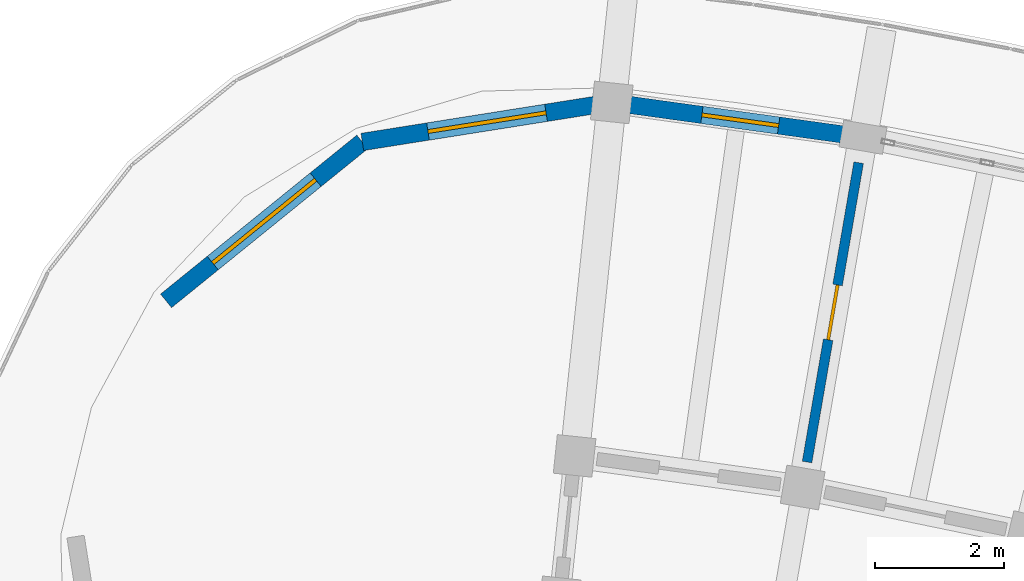
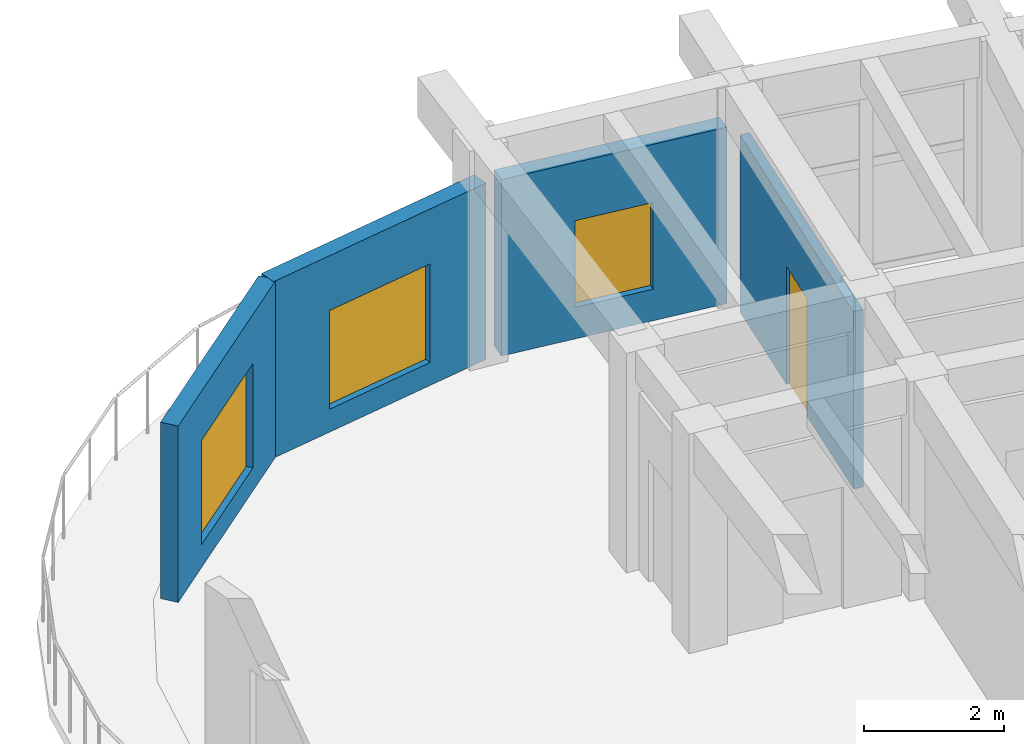
# One storey, part 93 of 128: 4 walls, 3 windows, 1 door, 4 openings.
"""IFC4 building model written with IfcOpenShell, lengths in metres."""

from ifc_helpers import new_model, si_unit, direction, frame, frame_2d, origin, place, context, subcontext, project, spatial, rectangle, extrude, material, layer, layer_set, type_object, element, fill, save


model = new_model("IFC4")

# Units and contexts
model_context = context("Model", 3, precision=1e-05, world=origin(), true_north=direction((0.0, 1.0)))
body_context = subcontext(model_context, "Body", "Model", "MODEL_VIEW")
ifc_project = project(units=[si_unit("LENGTHUNIT", "METRE"), si_unit("AREAUNIT", "SQUARE_METRE"), si_unit("VOLUMEUNIT", "CUBIC_METRE"), si_unit("PLANEANGLEUNIT", "RADIAN"), si_unit("MASSUNIT", "GRAM", prefix="KILO")], contexts=[model_context])

# Site, building, storey
site_placement = place(None, origin())
site = spatial("IfcSite", under=ifc_project, at=site_placement, CompositionType="ELEMENT")
building_placement = place(site_placement, origin())
building = spatial("IfcBuilding", under=site, at=building_placement, Name="Tanwirah Colonnade Gardens", CompositionType="ELEMENT")
storey_placement = place(building_placement, frame((0.0, 0.0, 4.760009765625)))
storey = spatial("IfcBuildingStorey", under=building, at=storey_placement, Name="L01", CompositionType="ELEMENT", Elevation=4.760009765625)

# Wall, opening, window
ifc_material_1 = material(Name="Limestone architectural precast concrete C40/50", Category="masonry")
ifc_layer_1 = layer(ifc_material_1, 0.27001953125)
ifc_layer_set_1 = layer_set([ifc_layer_1], Name="Limestone architectural precast concrete C40/50")
wall_type_1 = type_object("IfcWallType", Name="EW-PC270", PredefinedType="SOLIDWALL", material=ifc_layer_set_1)
wall_1_placement = place(storey_placement, frame((130.934814453125, 118.90966796875, 0.0), z_axis=(0.0, 0.0, 1.0), x_axis=(-0.990535032048, 0.137260155494, 0.0)))
wall_1 = element("IfcWall", 1, at=wall_1_placement, inside=storey, type_object=wall_type_1, Name="Block B L01 OUT Precast Facade Wall 17", PredefinedType="SOLIDWALL", context=body_context, shape_type="SweptSolid", body=[
    extrude(rectangle(XDim=3.4755859375, YDim=0.27001953125, at=frame_2d((1.73779296875, 0.0))), origin(), (0.0, 0.0, 1.0), 3.074951171875),
])
opening_1_placement = place(wall_1_placement, frame((1.137939453125, 0.0, 0.550048828125)))
opening_1 = element("IfcOpeningElement", 2, at=opening_1_placement, cuts=wall_1, Name="Opening WIN-U02", PredefinedType="OPENING", context=body_context, shape_type="SweptSolid", body=[
    extrude(rectangle(XDim=1.199951171875, YDim=1.510009765625, at=frame_2d((0.60009765625, 0.7548828125))), frame((0.0, 0.14501953125, 0.0), z_axis=(0.0, -1.0, 0.0), x_axis=(1.0, 0.0, 0.0)), (0.0, 0.0, 1.0), 0.2900390625),
])
ifc_material_2 = material(Name="Thermally broken bronze aluminium and solar low-E double glazing", Category="aluminium")
window_type_1 = type_object("IfcWindowType", Name="WIN-U02", PartitioningType="DOUBLE_PANEL_VERTICAL", PredefinedType="WINDOW", material=ifc_material_2)
window_1_placement = place(opening_1_placement, origin())
window_1 = element("IfcWindow", 3, at=window_1_placement, inside=storey, type_object=window_type_1, Name="Facade window B-L01-OUT-17", OverallHeight=1.510009765625, OverallWidth=1.199951171875, PartitioningType="SINGLE_PANEL", PredefinedType="WINDOW", context=body_context, shape_type="SweptSolid", body=[
    extrude(rectangle(XDim=1.199951171875, YDim=1.510009765625, at=frame_2d((0.60009765625, 0.7548828125))), frame((0.0, 0.030029296875, 0.0), z_axis=(0.0, -1.0, 0.0), x_axis=(1.0, 0.0, 0.0)), (0.0, 0.0, 1.0), 0.06005859375),
])
fill(opening_1, window_1)

wall_2_placement = place(storey_placement, frame((120.327392578125, 116.35302734375, 0.0), z_axis=(0.0, 0.0, 1.0), x_axis=(0.777137204109, 0.629331205321, 0.0)))
wall_2 = element("IfcWall", 4, at=wall_2_placement, inside=storey, type_object=wall_type_1, Name="Block B L01 END Rounded End Wall 4", PredefinedType="SOLIDWALL", context=body_context, shape_type="SweptSolid", body=[
    extrude(rectangle(XDim=3.907958984375, YDim=0.27001953125, at=frame_2d((1.9541015625, 0.0))), origin(), (0.0, 0.0, 1.0), 3.074951171875),
])
opening_2_placement = place(wall_2_placement, frame((0.92919921875, 0.0, 0.39990234375)))
opening_2 = element("IfcOpeningElement", 5, at=opening_2_placement, cuts=wall_2, Name="Opening WIN-END3", PredefinedType="OPENING", context=body_context, shape_type="SweptSolid", body=[
    extrude(rectangle(XDim=2.050048828125, YDim=1.820068359375, at=frame_2d((1.02490234375, 0.91015625))), frame((0.0, 0.14501953125, 0.0), z_axis=(0.0, -1.0, 0.0), x_axis=(1.0, 0.0, 0.0)), (0.0, 0.0, 1.0), 0.2900390625),
])
window_type_2 = type_object("IfcWindowType", Name="WIN-END3", PartitioningType="TRIPLE_PANEL_VERTICAL", PredefinedType="WINDOW", material=ifc_material_2)
window_2_placement = place(opening_2_placement, origin())
window_2 = element("IfcWindow", 6, at=window_2_placement, inside=storey, type_object=window_type_2, Name="Rounded corner window B-L01-END-4", OverallHeight=1.820068359375, OverallWidth=2.050048828125, PartitioningType="SINGLE_PANEL", PredefinedType="WINDOW", context=body_context, shape_type="SweptSolid", body=[
    extrude(rectangle(XDim=2.050048828125, YDim=1.820068359375, at=frame_2d((1.02490234375, 0.91015625))), frame((0.0, 0.030029296875, 0.0), z_axis=(0.0, -1.0, 0.0), x_axis=(1.0, 0.0, 0.0)), (0.0, 0.0, 1.0), 0.06005859375),
])
fill(opening_2, window_2)

wall_3_placement = place(storey_placement, frame((123.364501953125, 118.8125, 0.0), z_axis=(0.0, 0.0, 1.0), x_axis=(0.987690429048, 0.156421278498, 0.0)))
wall_3 = element("IfcWall", 7, at=wall_3_placement, inside=storey, type_object=wall_type_1, Name="Block B L01 END Rounded End Wall 5", PredefinedType="SOLIDWALL", context=body_context, shape_type="SweptSolid", body=[
    extrude(rectangle(XDim=3.908203125, YDim=0.27001953125, at=frame_2d((1.9541015625, 0.0))), origin(), (0.0, 0.0, 1.0), 3.074951171875),
])
opening_3_placement = place(wall_3_placement, frame((1.029052734375, 0.0, 0.39990234375)))
opening_3 = element("IfcOpeningElement", 8, at=opening_3_placement, cuts=wall_3, Name="Opening WIN-END1", PredefinedType="OPENING", context=body_context, shape_type="SweptSolid", body=[
    extrude(rectangle(XDim=1.85009765625, YDim=1.719970703125, at=frame_2d((0.925048828125, 0.85986328125))), frame((0.0, 0.14501953125, 0.0), z_axis=(0.0, -1.0, 0.0), x_axis=(1.0, 0.0, 0.0)), (0.0, 0.0, 1.0), 0.2900390625),
])
window_type_3 = type_object("IfcWindowType", Name="WIN-END1", PartitioningType="TRIPLE_PANEL_VERTICAL", PredefinedType="WINDOW", material=ifc_material_2)
window_3_placement = place(opening_3_placement, origin())
window_3 = element("IfcWindow", 9, at=window_3_placement, inside=storey, type_object=window_type_3, Name="Rounded corner window B-L01-END-5", OverallHeight=1.719970703125, OverallWidth=1.85009765625, PartitioningType="SINGLE_PANEL", PredefinedType="WINDOW", context=body_context, shape_type="SweptSolid", body=[
    extrude(rectangle(XDim=1.85009765625, YDim=1.719970703125, at=frame_2d((0.925048828125, 0.85986328125))), frame((0.0, 0.030029296875, 0.0), z_axis=(0.0, -1.0, 0.0), x_axis=(1.0, 0.0, 0.0)), (0.0, 0.0, 1.0), 0.06005859375),
])
fill(opening_3, window_3)

# Wall, opening, door
ifc_material_3 = material(Name="Water-resistant acoustic plumbing partition")
ifc_layer_2 = layer(ifc_material_3, 0.14990234375)
ifc_layer_set_2 = layer_set([ifc_layer_2], Name="Water-resistant acoustic plumbing partition")
wall_type_2 = type_object("IfcWallType", Name="IW-WET150", PredefinedType="PLUMBINGWALL", material=ifc_layer_set_2)
wall_4_placement = place(storey_placement, frame((130.2470703125, 113.859130859375, 0.0), z_axis=(0.0, 0.0, 1.0), x_axis=(0.169812980219, 0.985476307046, 0.0)))
wall_4 = element("IfcWall", 10, at=wall_4_placement, inside=storey, type_object=wall_type_2, Name="Block B L01 Radial Partition 16", PredefinedType="PLUMBINGWALL", context=body_context, shape_type="SweptSolid", body=[
    extrude(rectangle(XDim=4.699951171875, YDim=0.14990234375, at=frame_2d((2.35009765625, 0.0))), origin(), (0.0, 0.0, 1.0), 3.090087890625),
])
opening_4_placement = place(wall_4_placement, frame((1.919921875, 0.0, 0.0)))
opening_4 = element("IfcOpeningElement", 11, at=opening_4_placement, cuts=wall_4, Name="Opening L01-RD871", PredefinedType="OPENING", context=body_context, shape_type="SweptSolid", body=[
    extrude(rectangle(XDim=0.860107421875, YDim=2.06005859375, at=frame_2d((0.43017578125, 1.030029296875))), frame((0.0, 0.0849609375, 0.0), z_axis=(0.0, -1.0, 0.0), x_axis=(1.0, 0.0, 0.0)), (0.0, 0.0, 1.0), 0.169921875),
])
ifc_material_4 = material(Name="Moisture-resistant bathroom door")
door_type = type_object("IfcDoorType", Name="ID-WET086", OperationType="NOTDEFINED", PredefinedType="DOOR", material=ifc_material_4)
door_placement = place(opening_4_placement, origin())
door = element("IfcDoor", 12, at=door_placement, inside=storey, type_object=door_type, Name="Internal apartment door L01-RD871", OperationType="SINGLE_SWING_RIGHT", OverallHeight=2.06005859375, OverallWidth=0.860107421875, PredefinedType="DOOR", context=body_context, shape_type="SweptSolid", body=[
    extrude(rectangle(XDim=0.860107421875, YDim=2.06005859375, at=frame_2d((0.43017578125, 1.030029296875))), frame((0.0, 0.02490234375, 0.0), z_axis=(0.0, -1.0, 0.0), x_axis=(1.0, 0.0, 0.0)), (0.0, 0.0, 1.0), 0.050048828125),
])
fill(opening_4, door)

save(model, "model.ifc")
